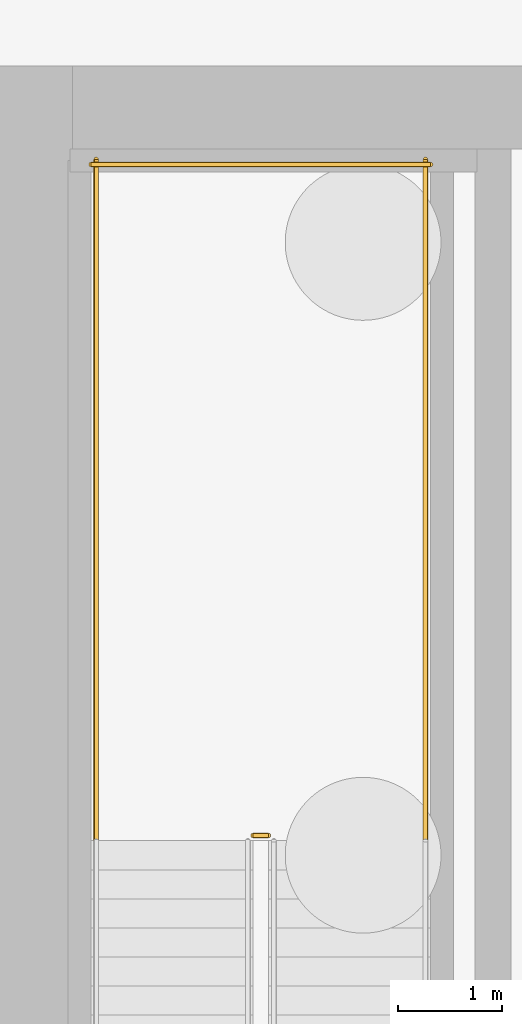
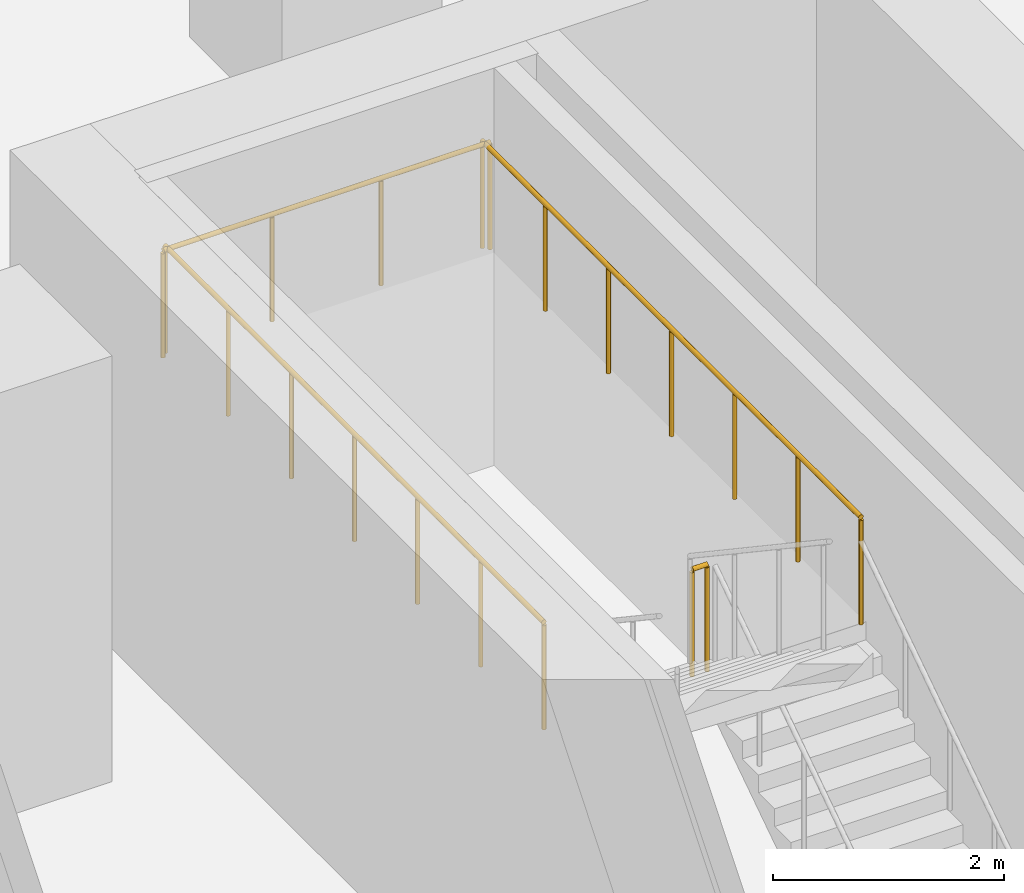
# One storey, part 11 of 15: 4 railings.
"""IFC4 building model written with IfcOpenShell, lengths in metres."""

import ifcopenshell
import ifcopenshell.guid

model = None  # the IFC model being written
_history = None  # IfcOwnerHistory: only IFC2X3 demands one
_inside = {}  # id of a spatial element -> (the spatial element, [elements in it])
_under = {}  # id of a project, library or spatial element -> (it, [spatial elements below it])
_declared = {}  # id of a project -> (the project, [libraries it declares])
_typed = {}  # id of a type object -> (the type object, [elements of that type])
_made_of = {}  # id of a material, layer set ... -> (it, [elements and type objects made of it])


def new_model(schema):
    """Start an empty IFC model of exactly this schema.

    Asked for "IFC4X3", IfcOpenShell would pick the latest addendum, in which some entities
    have other attributes; the version numbers below select the first issue.
    IFC2X3 requires an IfcOwnerHistory on every rooted entity: one is made here for all.
    """
    global model, _history
    if schema == "IFC4X3":
        model = ifcopenshell.file(schema_version=(4, 3, 0, 0))
    else:
        model = ifcopenshell.file(schema=schema)
    _inside.clear()
    _under.clear()
    _declared.clear()
    _typed.clear()
    _made_of.clear()
    _history = None
    if model.schema == "IFC2X3":
        org = make("IfcOrganization", Name="unknown")
        user = make(
            "IfcPersonAndOrganization",
            ThePerson=make("IfcPerson", FamilyName="unknown"),
            TheOrganization=org,
        )
        app = make(
            "IfcApplication",
            ApplicationDeveloper=org,
            Version="unknown",
            ApplicationFullName="unknown",
            ApplicationIdentifier="unknown",
        )
        _history = make(
            "IfcOwnerHistory",
            OwningUser=user,
            OwningApplication=app,
            ChangeAction="ADDED",
            CreationDate=0,
        )
    return model


def make(cls, **values):
    """One entity of the class cls with the attributes given. An attribute that is None is left unset."""
    return model.create_entity(
        cls, **{name: value for name, value in values.items() if value is not None}
    )


def rooted(cls, **values):
    """An entity with a GlobalId (a new one), such as an element, a storey or a relation."""
    return make(cls, GlobalId=ifcopenshell.guid.new(), OwnerHistory=_history, **values)


def si_unit(unit_type, name, prefix=None):
    """IfcSIUnit, for example si_unit("LENGTHUNIT", "METRE", prefix="MILLI")."""
    return make("IfcSIUnit", UnitType=unit_type, Prefix=prefix, Name=name)


def assignment(units):
    """IfcUnitAssignment: the units of a project."""
    return None if units is None else make("IfcUnitAssignment", Units=units)


def point(xyz):
    """IfcCartesianPoint."""
    return None if xyz is None else make("IfcCartesianPoint", Coordinates=xyz)


def direction(xyz):
    """IfcDirection."""
    return None if xyz is None else make("IfcDirection", DirectionRatios=xyz)


def frame(location, z_axis=None, x_axis=None):
    """IfcAxis2Placement3D, a coordinate frame: its origin and axes. An axis left out is left unset."""
    return make(
        "IfcAxis2Placement3D",
        Location=point(location),
        Axis=direction(z_axis),
        RefDirection=direction(x_axis),
    )


def frame_2d(location, x_axis=None):
    """IfcAxis2Placement2D, a coordinate frame in the plane: its origin and x axis."""
    return make(
        "IfcAxis2Placement2D", Location=point(location), RefDirection=direction(x_axis)
    )


def origin():
    """The frame at (0, 0, 0) with its axes left unset."""
    return frame((0.0, 0.0, 0.0))


def origin_2d():
    """The frame at (0, 0) in the plane with its x axis left unset."""
    return frame_2d((0.0, 0.0))


def place(relative_to, where):
    """IfcLocalPlacement: puts the frame where relative to a parent placement (None: the world)."""
    return make(
        "IfcLocalPlacement", PlacementRelTo=relative_to, RelativePlacement=where
    )


def context(
    kind, dimensions, precision=None, world=None, true_north=None, identifier=None
):
    """IfcGeometricRepresentationContext, for example the 3D "Model" context."""
    return make(
        "IfcGeometricRepresentationContext",
        ContextIdentifier=identifier,
        ContextType=kind,
        CoordinateSpaceDimension=dimensions,
        Precision=precision,
        WorldCoordinateSystem=world,
        TrueNorth=true_north,
    )


def subcontext(parent, identifier, kind, view, scale=None):
    """IfcGeometricRepresentationSubContext, for example "Body" below "Model"."""
    return make(
        "IfcGeometricRepresentationSubContext",
        ContextIdentifier=identifier,
        ContextType=kind,
        ParentContext=parent,
        TargetScale=scale,
        TargetView=view,
    )


def project(units=None, contexts=None):
    """IfcProject with its units and contexts."""
    return rooted(
        "IfcProject",
        Name="project",
        RepresentationContexts=contexts,
        UnitsInContext=assignment(units),
    )


def spatial(cls, under=None, at=None, **own):
    """A site, building, storey or space (cls), placed at a placement, below another one or the project."""
    s = rooted(cls, ObjectPlacement=at, **own)
    if under is not None:
        _under.setdefault(under.id(), (under, []))[1].append(s)
    return s


def profile(cls, at=None, kind="AREA", **sizes):
    """A parametric profile (cls). Its sizes go by their IFC names, for example OverallWidth=200.0."""
    return make(cls, ProfileType=kind, Position=at, **sizes)


def circle(**sizes):
    """IfcCircleProfileDef."""
    return profile("IfcCircleProfileDef", **sizes)


def extrude(swept, where, along, depth):
    """IfcExtrudedAreaSolid: the profile swept, set in the frame where, extruded along a direction by depth."""
    return make(
        "IfcExtrudedAreaSolid",
        SweptArea=swept,
        Position=where,
        ExtrudedDirection=direction(along),
        Depth=depth,
    )


def shape(context_of_items, identifier, shape_type, items):
    """IfcShapeRepresentation: the items that make up one representation, for example the "Body"."""
    return make(
        "IfcShapeRepresentation",
        ContextOfItems=context_of_items,
        RepresentationIdentifier=identifier,
        RepresentationType=shape_type,
        Items=items,
    )


def material(Name=None, Category=None):
    """IfcMaterial."""
    return make("IfcMaterial", Name=Name, Category=Category)


def made_of(thing, what):
    """Note that an element or type object is made of a material, layer set ...; save() writes the relation."""
    if what is not None:
        _made_of.setdefault(what.id(), (what, []))[1].append(thing)
    return thing


def type_object(cls, material=None, **own):
    """A type object (cls), such as IfcWallType, which elements share."""
    return made_of(rooted(cls, **own), material)


def element(
    cls,
    number,
    at=None,
    inside=None,
    cuts=None,
    type_object=None,
    material=None,
    context=None,
    identifier="Body",
    shape_type=None,
    held_by="IfcProductDefinitionShape",
    body=None,
    shapes=None,
    **own,
):
    """One element of the class cls, such as IfcWall. Its Tag is "e" and its number.

    at: its placement. inside: the storey or other place that contains it. cuts: it is an
    opening in that element (IfcRelVoidsElement). A single representation is given by context,
    identifier, shape_type and body (its items); several are given by shapes. held_by: the class
    of the entity that holds the representations. save() writes the other relations.
    """
    e = rooted(cls, Tag="e%d" % number, ObjectPlacement=at, **own)
    if body is not None:
        shapes = [shape(context, identifier, shape_type, body)]
    if shapes is not None:
        e.Representation = make(held_by, Representations=shapes)
    if inside is not None:
        _inside.setdefault(inside.id(), (inside, []))[1].append(e)
    if cuts is not None:
        rooted(
            "IfcRelVoidsElement", RelatingBuildingElement=cuts, RelatedOpeningElement=e
        )
    if type_object is not None:
        _typed.setdefault(type_object.id(), (type_object, []))[1].append(e)
    return made_of(e, material)


def aggregate(whole, parts):
    """IfcRelAggregates: a whole, such as a stair, and the parts it consists of."""
    return rooted("IfcRelAggregates", RelatingObject=whole, RelatedObjects=parts)


def save(model, path):
    """Write the relations noted so far, then the file.

    IfcRelAggregates (storeys below a building ...), IfcRelContainedInSpatialStructure (elements
    in a storey), IfcRelDefinesByType, IfcRelAssociatesMaterial and IfcRelDeclares: one each for
    every whole, place, type object, material and project.
    """
    for whole, parts in _under.values():
        aggregate(whole, parts)
    for where, things in _inside.values():
        rooted(
            "IfcRelContainedInSpatialStructure",
            RelatedElements=things,
            RelatingStructure=where,
        )
    for kind, things in _typed.values():
        rooted("IfcRelDefinesByType", RelatedObjects=things, RelatingType=kind)
    for what, things in _made_of.values():
        rooted("IfcRelAssociatesMaterial", RelatedObjects=things, RelatingMaterial=what)
    for by, libraries in _declared.values():
        rooted("IfcRelDeclares", RelatingContext=by, RelatedDefinitions=libraries)
    model.write(path)


model = new_model("IFC4")

# Units and contexts
model_context = context("Model", 3, precision=1e-05, world=origin(), true_north=direction((0.0, 1.0)))
body_context = subcontext(model_context, "Body", "Model", "MODEL_VIEW")
ifc_project = project(units=[si_unit("LENGTHUNIT", "METRE"), si_unit("AREAUNIT", "SQUARE_METRE"), si_unit("VOLUMEUNIT", "CUBIC_METRE"), si_unit("PLANEANGLEUNIT", "RADIAN"), si_unit("MASSUNIT", "GRAM", prefix="KILO")], contexts=[model_context])

# Site, building, storey
site_placement = place(None, origin())
site = spatial("IfcSite", under=ifc_project, at=site_placement, CompositionType="ELEMENT")
building_placement = place(site_placement, origin())
building = spatial("IfcBuilding", under=site, at=building_placement, Name="Khairoan Windgate Tower", CompositionType="ELEMENT")
storey_placement = place(building_placement, frame((0.0, 0.0, -9.0)))
storey = spatial("IfcBuildingStorey", under=building, at=storey_placement, Name="B2", CompositionType="ELEMENT", Elevation=-9.0)

# Railings
ifc_material = material(Name="Steel S355", Category="steel")
railing_type = type_object("IfcRailingType", Name="Stairwell Safety Guardrail SGR-1150", PredefinedType="GUARDRAIL", material=ifc_material)
railing_1_placement = place(storey_placement, frame((-17.7099609375, 6.090087890625, 2.25)))
element("IfcRailing", 1, at=railing_1_placement, inside=storey, type_object=railing_type, Name="B2 ST2 stair guard 2", PredefinedType="GUARDRAIL", context=body_context, shape_type="SweptSolid", body=[
    extrude(circle(Radius=0.02392578125, at=origin_2d()), frame((0.0, 0.0, 1.1259765625), z_axis=(-1.0, 0.0, 0.0), x_axis=(0.0, -1.0, 0.0)), (0.0, 0.0, 1.0), 0.150146484375),
    extrude(circle(Radius=0.02099609375, at=origin_2d()), origin(), (0.0, 0.0, 1.0), 1.101806640625),
    extrude(circle(Radius=0.02099609375, at=origin_2d()), frame((-0.150146484375, 0.0, 0.0)), (0.0, 0.0, 1.0), 1.101806640625),
])
for number, where, name in (
    (2, (-16.199951171875, 6.0400390625, 2.25), "B2 ST2 stair guard 3"),
    (3, (-19.3701171875, 6.0400390625, 2.25), "B2 ST2 stair guard 4"),
):
    element("IfcRailing", number, at=place(storey_placement, frame(where)), inside=storey, type_object=railing_type, Name=name, PredefinedType="GUARDRAIL", context=body_context, shape_type="SweptSolid", body=[
        extrude(circle(Radius=0.02392578125, at=origin_2d()), frame((0.0, 0.0, 1.1259765625), z_axis=(0.0, 1.0, 0.0), x_axis=(-1.0, 0.0, 0.0)), (0.0, 0.0, 1.0), 6.56005859375),
        extrude(circle(Radius=0.02099609375, at=origin_2d()), origin(), (0.0, 0.0, 1.0), 1.101806640625),
        extrude(circle(Radius=0.02099609375, at=origin_2d()), frame((0.0, 1.09326171875, 0.0)), (0.0, 0.0, 1.0), 1.101806640625),
        extrude(circle(Radius=0.02099609375, at=origin_2d()), frame((0.0, 2.186767578125, 0.0)), (0.0, 0.0, 1.0), 1.101806640625),
        extrude(circle(Radius=0.02099609375, at=origin_2d()), frame((0.0, 3.280029296875, 0.0)), (0.0, 0.0, 1.0), 1.101806640625),
        extrude(circle(Radius=0.02099609375, at=origin_2d()), frame((0.0, 4.373291015625, 0.0)), (0.0, 0.0, 1.0), 1.101806640625),
        extrude(circle(Radius=0.02099609375, at=origin_2d()), frame((0.0, 5.466796875, 0.0)), (0.0, 0.0, 1.0), 1.101806640625),
        extrude(circle(Radius=0.02099609375, at=origin_2d()), frame((0.0, 6.56005859375, 0.0)), (0.0, 0.0, 1.0), 1.101806640625),
    ])
railing_2_placement = place(storey_placement, frame((-16.14990234375, 12.550048828125, 2.25)))
element("IfcRailing", 4, at=railing_2_placement, inside=storey, type_object=railing_type, Name="B2 ST2 stair guard 5", PredefinedType="GUARDRAIL", context=body_context, shape_type="SweptSolid", body=[
    extrude(circle(Radius=0.02392578125, at=origin_2d()), frame((0.0, 0.0, 1.1259765625), z_axis=(-1.0, 0.0, 0.0), x_axis=(0.0, -1.0, 0.0)), (0.0, 0.0, 1.0), 3.27001953125),
    extrude(circle(Radius=0.02099609375, at=origin_2d()), origin(), (0.0, 0.0, 1.0), 1.101806640625),
    extrude(circle(Radius=0.02099609375, at=origin_2d()), frame((-1.090087890625, 0.0, 0.0)), (0.0, 0.0, 1.0), 1.101806640625),
    extrude(circle(Radius=0.02099609375, at=origin_2d()), frame((-2.179931640625, 0.0, 0.0)), (0.0, 0.0, 1.0), 1.101806640625),
    extrude(circle(Radius=0.02099609375, at=origin_2d()), frame((-3.27001953125, 0.0, 0.0)), (0.0, 0.0, 1.0), 1.101806640625),
])

save(model, "model.ifc")
